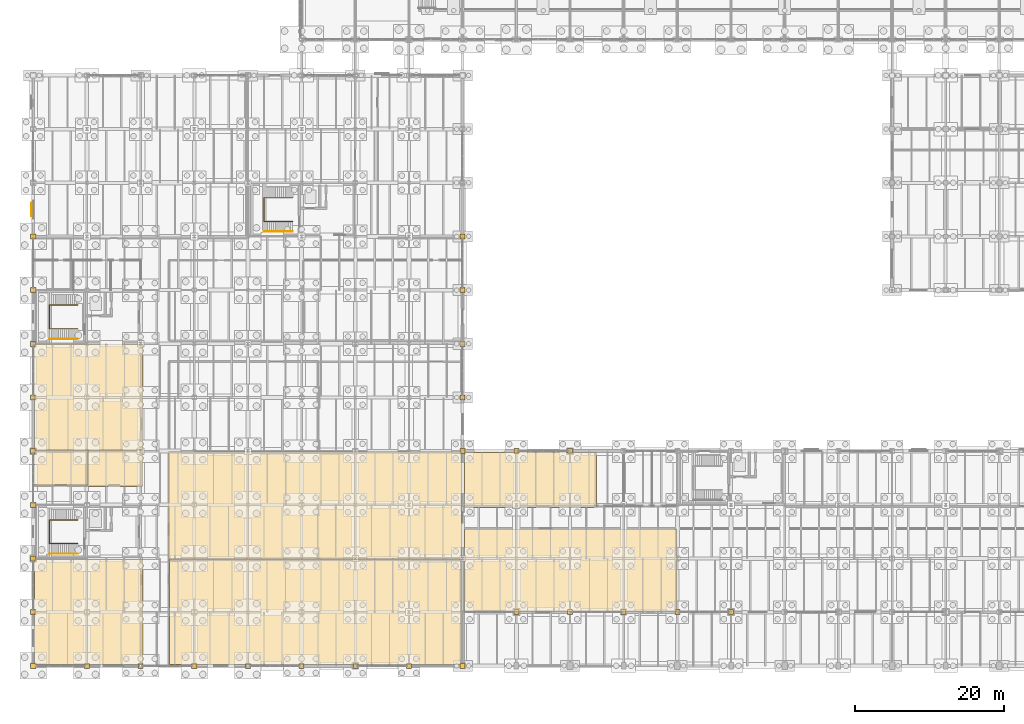
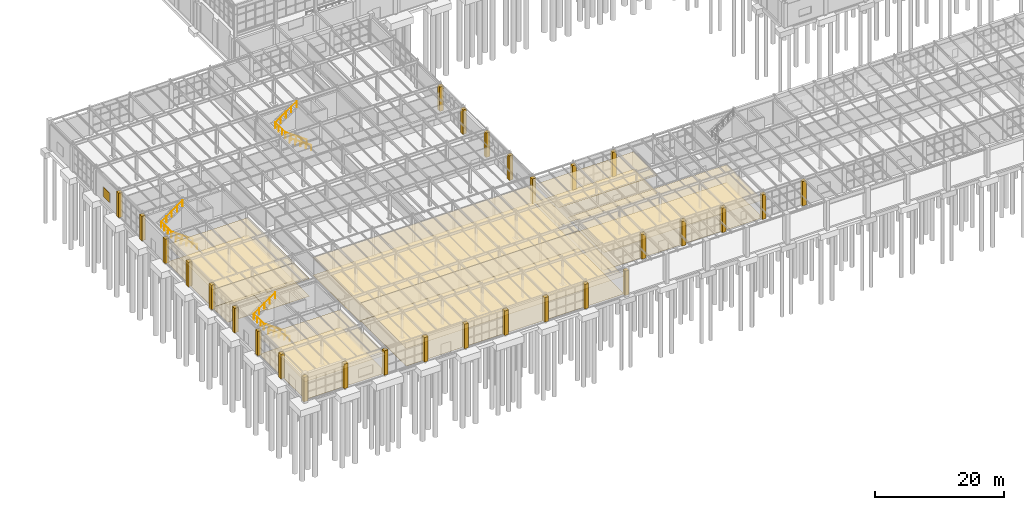
# One storey, part 279 of 293: 45 coverings, 6 railings, 1 shading device.
"""IFC4 building model written with IfcOpenShell, lengths in metres."""

import ifcopenshell
import ifcopenshell.guid

model = None  # the IFC model being written
_history = None  # IfcOwnerHistory: only IFC2X3 demands one
_inside = {}  # id of a spatial element -> (the spatial element, [elements in it])
_under = {}  # id of a project, library or spatial element -> (it, [spatial elements below it])
_declared = {}  # id of a project -> (the project, [libraries it declares])
_typed = {}  # id of a type object -> (the type object, [elements of that type])
_made_of = {}  # id of a material, layer set ... -> (it, [elements and type objects made of it])


def new_model(schema):
    """Start an empty IFC model of exactly this schema.

    Asked for "IFC4X3", IfcOpenShell would pick the latest addendum, in which some entities
    have other attributes; the version numbers below select the first issue.
    IFC2X3 requires an IfcOwnerHistory on every rooted entity: one is made here for all.
    """
    global model, _history
    if schema == "IFC4X3":
        model = ifcopenshell.file(schema_version=(4, 3, 0, 0))
    else:
        model = ifcopenshell.file(schema=schema)
    _inside.clear()
    _under.clear()
    _declared.clear()
    _typed.clear()
    _made_of.clear()
    _history = None
    if model.schema == "IFC2X3":
        org = make("IfcOrganization", Name="unknown")
        user = make(
            "IfcPersonAndOrganization",
            ThePerson=make("IfcPerson", FamilyName="unknown"),
            TheOrganization=org,
        )
        app = make(
            "IfcApplication",
            ApplicationDeveloper=org,
            Version="unknown",
            ApplicationFullName="unknown",
            ApplicationIdentifier="unknown",
        )
        _history = make(
            "IfcOwnerHistory",
            OwningUser=user,
            OwningApplication=app,
            ChangeAction="ADDED",
            CreationDate=0,
        )
    return model


def make(cls, **values):
    """One entity of the class cls with the attributes given. An attribute that is None is left unset."""
    return model.create_entity(
        cls, **{name: value for name, value in values.items() if value is not None}
    )


def rooted(cls, **values):
    """An entity with a GlobalId (a new one), such as an element, a storey or a relation."""
    return make(cls, GlobalId=ifcopenshell.guid.new(), OwnerHistory=_history, **values)


def si_unit(unit_type, name, prefix=None):
    """IfcSIUnit, for example si_unit("LENGTHUNIT", "METRE", prefix="MILLI")."""
    return make("IfcSIUnit", UnitType=unit_type, Prefix=prefix, Name=name)


def assignment(units):
    """IfcUnitAssignment: the units of a project."""
    return None if units is None else make("IfcUnitAssignment", Units=units)


def point(xyz):
    """IfcCartesianPoint."""
    return None if xyz is None else make("IfcCartesianPoint", Coordinates=xyz)


def direction(xyz):
    """IfcDirection."""
    return None if xyz is None else make("IfcDirection", DirectionRatios=xyz)


def frame(location, z_axis=None, x_axis=None):
    """IfcAxis2Placement3D, a coordinate frame: its origin and axes. An axis left out is left unset."""
    return make(
        "IfcAxis2Placement3D",
        Location=point(location),
        Axis=direction(z_axis),
        RefDirection=direction(x_axis),
    )


def frame_2d(location, x_axis=None):
    """IfcAxis2Placement2D, a coordinate frame in the plane: its origin and x axis."""
    return make(
        "IfcAxis2Placement2D", Location=point(location), RefDirection=direction(x_axis)
    )


def origin():
    """The frame at (0, 0, 0) with its axes left unset."""
    return frame((0.0, 0.0, 0.0))


def origin_2d():
    """The frame at (0, 0) in the plane with its x axis left unset."""
    return frame_2d((0.0, 0.0))


def place(relative_to, where):
    """IfcLocalPlacement: puts the frame where relative to a parent placement (None: the world)."""
    return make(
        "IfcLocalPlacement", PlacementRelTo=relative_to, RelativePlacement=where
    )


def context(
    kind, dimensions, precision=None, world=None, true_north=None, identifier=None
):
    """IfcGeometricRepresentationContext, for example the 3D "Model" context."""
    return make(
        "IfcGeometricRepresentationContext",
        ContextIdentifier=identifier,
        ContextType=kind,
        CoordinateSpaceDimension=dimensions,
        Precision=precision,
        WorldCoordinateSystem=world,
        TrueNorth=true_north,
    )


def subcontext(parent, identifier, kind, view, scale=None):
    """IfcGeometricRepresentationSubContext, for example "Body" below "Model"."""
    return make(
        "IfcGeometricRepresentationSubContext",
        ContextIdentifier=identifier,
        ContextType=kind,
        ParentContext=parent,
        TargetScale=scale,
        TargetView=view,
    )


def project(units=None, contexts=None):
    """IfcProject with its units and contexts."""
    return rooted(
        "IfcProject",
        Name="project",
        RepresentationContexts=contexts,
        UnitsInContext=assignment(units),
    )


def spatial(cls, under=None, at=None, **own):
    """A site, building, storey or space (cls), placed at a placement, below another one or the project."""
    s = rooted(cls, ObjectPlacement=at, **own)
    if under is not None:
        _under.setdefault(under.id(), (under, []))[1].append(s)
    return s


def polyline(points):
    """IfcPolyline through the points."""
    return make("IfcPolyline", Points=[point(p) for p in points])


def profile(cls, at=None, kind="AREA", **sizes):
    """A parametric profile (cls). Its sizes go by their IFC names, for example OverallWidth=200.0."""
    return make(cls, ProfileType=kind, Position=at, **sizes)


def rectangle(**sizes):
    """IfcRectangleProfileDef."""
    return profile("IfcRectangleProfileDef", **sizes)


def circle(**sizes):
    """IfcCircleProfileDef."""
    return profile("IfcCircleProfileDef", **sizes)


def outline(outer, holes=None, kind="AREA"):
    """IfcArbitraryClosedProfileDef: a profile drawn as a closed curve; with holes, ...WithVoids."""
    if holes is None:
        return make("IfcArbitraryClosedProfileDef", ProfileType=kind, OuterCurve=outer)
    return make(
        "IfcArbitraryProfileDefWithVoids",
        ProfileType=kind,
        OuterCurve=outer,
        InnerCurves=holes,
    )


def extrude(swept, where, along, depth):
    """IfcExtrudedAreaSolid: the profile swept, set in the frame where, extruded along a direction by depth."""
    return make(
        "IfcExtrudedAreaSolid",
        SweptArea=swept,
        Position=where,
        ExtrudedDirection=direction(along),
        Depth=depth,
    )


def shape(context_of_items, identifier, shape_type, items):
    """IfcShapeRepresentation: the items that make up one representation, for example the "Body"."""
    return make(
        "IfcShapeRepresentation",
        ContextOfItems=context_of_items,
        RepresentationIdentifier=identifier,
        RepresentationType=shape_type,
        Items=items,
    )


def material(Name=None, Category=None):
    """IfcMaterial."""
    return make("IfcMaterial", Name=Name, Category=Category)


def layer(
    of_material, thickness, ventilated=None, Name=None, Category=None, Priority=None
):
    """IfcMaterialLayer: one layer of a wall or slab, of a material (None: an air gap)."""
    return make(
        "IfcMaterialLayer",
        Material=of_material,
        LayerThickness=thickness,
        IsVentilated=ventilated,
        Name=Name,
        Category=Category,
        Priority=Priority,
    )


def layer_set(layers, Name=None):
    """IfcMaterialLayerSet."""
    return make("IfcMaterialLayerSet", MaterialLayers=layers, LayerSetName=Name)


def made_of(thing, what):
    """Note that an element or type object is made of a material, layer set ...; save() writes the relation."""
    if what is not None:
        _made_of.setdefault(what.id(), (what, []))[1].append(thing)
    return thing


def type_object(cls, material=None, **own):
    """A type object (cls), such as IfcWallType, which elements share."""
    return made_of(rooted(cls, **own), material)


def element(
    cls,
    number,
    at=None,
    inside=None,
    cuts=None,
    type_object=None,
    material=None,
    context=None,
    identifier="Body",
    shape_type=None,
    held_by="IfcProductDefinitionShape",
    body=None,
    shapes=None,
    **own,
):
    """One element of the class cls, such as IfcWall. Its Tag is "e" and its number.

    at: its placement. inside: the storey or other place that contains it. cuts: it is an
    opening in that element (IfcRelVoidsElement). A single representation is given by context,
    identifier, shape_type and body (its items); several are given by shapes. held_by: the class
    of the entity that holds the representations. save() writes the other relations.
    """
    e = rooted(cls, Tag="e%d" % number, ObjectPlacement=at, **own)
    if body is not None:
        shapes = [shape(context, identifier, shape_type, body)]
    if shapes is not None:
        e.Representation = make(held_by, Representations=shapes)
    if inside is not None:
        _inside.setdefault(inside.id(), (inside, []))[1].append(e)
    if cuts is not None:
        rooted(
            "IfcRelVoidsElement", RelatingBuildingElement=cuts, RelatedOpeningElement=e
        )
    if type_object is not None:
        _typed.setdefault(type_object.id(), (type_object, []))[1].append(e)
    return made_of(e, material)


def aggregate(whole, parts):
    """IfcRelAggregates: a whole, such as a stair, and the parts it consists of."""
    return rooted("IfcRelAggregates", RelatingObject=whole, RelatedObjects=parts)


def save(model, path):
    """Write the relations noted so far, then the file.

    IfcRelAggregates (storeys below a building ...), IfcRelContainedInSpatialStructure (elements
    in a storey), IfcRelDefinesByType, IfcRelAssociatesMaterial and IfcRelDeclares: one each for
    every whole, place, type object, material and project.
    """
    for whole, parts in _under.values():
        aggregate(whole, parts)
    for where, things in _inside.values():
        rooted(
            "IfcRelContainedInSpatialStructure",
            RelatedElements=things,
            RelatingStructure=where,
        )
    for kind, things in _typed.values():
        rooted("IfcRelDefinesByType", RelatedObjects=things, RelatingType=kind)
    for what, things in _made_of.values():
        rooted("IfcRelAssociatesMaterial", RelatedObjects=things, RelatingMaterial=what)
    for by, libraries in _declared.values():
        rooted("IfcRelDeclares", RelatingContext=by, RelatedDefinitions=libraries)
    model.write(path)


model = new_model("IFC4")

# Units and contexts
model_context = context("Model", 3, precision=1e-05, world=origin(), true_north=direction((0.0, 1.0)))
body_context = subcontext(model_context, "Body", "Model", "MODEL_VIEW")
ifc_project = project(units=[si_unit("LENGTHUNIT", "METRE"), si_unit("AREAUNIT", "SQUARE_METRE"), si_unit("VOLUMEUNIT", "CUBIC_METRE"), si_unit("PLANEANGLEUNIT", "RADIAN"), si_unit("MASSUNIT", "GRAM", prefix="KILO")], contexts=[model_context])

# Site, building, storey
site_placement = place(None, origin())
site = spatial("IfcSite", under=ifc_project, at=site_placement, CompositionType="ELEMENT")
building_placement = place(site_placement, origin())
building = spatial("IfcBuilding", under=site, at=building_placement, Name="Kemerveld Promenade Tramway Depot", CompositionType="ELEMENT")
storey_placement = place(building_placement, origin())
storey = spatial("IfcBuildingStorey", under=building, at=storey_placement, Name="L00", CompositionType="ELEMENT", Elevation=0.0)

# Coverings
ifc_material_1 = material(Name="Perforated mineral-fibre acoustic ceiling")
ifc_layer_1 = layer(ifc_material_1, 0.02490234375)
ifc_layer_set_1 = layer_set([ifc_layer_1], Name="COV-CEIL-AC")
covering_type_1 = type_object("IfcCoveringType", Name="COV-CEIL-AC", PredefinedType="CEILING", material=ifc_layer_set_1)
covering_1_placement = place(storey_placement, frame((0.0, 0.0, 3.35498046875)))
element("IfcCovering", 1, at=covering_1_placement, inside=storey, type_object=covering_type_1, Name="CEIL-RM-L00-V4-CAFE", PredefinedType="CEILING", context=body_context, shape_type="SweptSolid", body=[
    extrude(outline(polyline([(57.824951171875, 7.25), (86.35009765625, 7.25), (86.35009765625, 18.35009765625), (57.824951171875, 18.35009765625), (57.824951171875, 7.25)])), origin(), (0.0, 0.0, 1.0), 0.02490234375),
])
covering_2_placement = place(storey_placement, frame((0.0, 0.0, 3.35498046875)))
element("IfcCovering", 2, at=covering_2_placement, inside=storey, type_object=covering_type_1, Name="CEIL-RM-L00-V4-KIT", PredefinedType="CEILING", context=body_context, shape_type="SweptSolid", body=[
    extrude(outline(polyline([(57.824951171875, 21.25), (75.550048828125, 21.25), (75.550048828125, 28.64990234375), (57.824951171875, 28.64990234375), (57.824951171875, 21.25)])), origin(), (0.0, 0.0, 1.0), 0.02490234375),
])
covering_3_placement = place(storey_placement, frame((0.0, 0.0, 3.35498046875)))
element("IfcCovering", 3, at=covering_3_placement, inside=storey, type_object=covering_type_1, Name="CEIL-RM-L00-V5-LOB", PredefinedType="CEILING", context=body_context, shape_type="SweptSolid", body=[
    extrude(outline(polyline([(0.14990234375, 0.14990234375), (14.75, 0.14990234375), (14.75, 14.35009765625), (0.14990234375, 14.35009765625), (0.14990234375, 0.14990234375)])), origin(), (0.0, 0.0, 1.0), 0.02490234375),
])
covering_4_placement = place(storey_placement, frame((0.0, 0.0, 3.35498046875)))
element("IfcCovering", 4, at=covering_4_placement, inside=storey, type_object=covering_type_1, Name="CEIL-RM-L00-V5-SIGN", PredefinedType="CEILING", context=body_context, shape_type="SweptSolid", body=[
    extrude(outline(polyline([(18.2724609375, 0.14990234375), (57.375, 0.14990234375), (57.375, 14.35009765625), (18.2724609375, 14.35009765625), (18.2724609375, 0.14990234375)])), origin(), (0.0, 0.0, 1.0), 0.02490234375),
])
covering_5_placement = place(storey_placement, frame((0.0, 0.0, 3.35498046875)))
element("IfcCovering", 5, at=covering_5_placement, inside=storey, type_object=covering_type_1, Name="CEIL-RM-L00-V5-FCC", PredefinedType="CEILING", context=body_context, shape_type="SweptSolid", body=[
    extrude(outline(polyline([(0.14990234375, 24.257568359375), (7.35009765625, 24.257568359375), (7.35009765625, 28.949951171875), (0.14990234375, 28.949951171875), (0.14990234375, 24.257568359375)])), origin(), (0.0, 0.0, 1.0), 0.02490234375),
])
covering_6_placement = place(storey_placement, frame((0.0, 0.0, 3.35498046875)))
element("IfcCovering", 6, at=covering_6_placement, inside=storey, type_object=covering_type_1, Name="CEIL-RM-L00-V5-SEC", PredefinedType="CEILING", context=body_context, shape_type="SweptSolid", body=[
    extrude(outline(polyline([(7.050048828125, 24.050048828125), (14.75, 24.050048828125), (14.75, 28.949951171875), (7.050048828125, 28.949951171875), (7.050048828125, 24.050048828125)])), origin(), (0.0, 0.0, 1.0), 0.02490234375),
])
covering_7_placement = place(storey_placement, frame((0.0, 0.0, 3.35498046875)))
element("IfcCovering", 7, at=covering_7_placement, inside=storey, type_object=covering_type_1, Name="CEIL-RM-L00-V5-DISP", PredefinedType="CEILING", context=body_context, shape_type="SweptSolid", body=[
    extrude(outline(polyline([(18.050048828125, 14.050048828125), (57.44091796875, 14.050048828125), (57.44091796875, 28.75), (18.050048828125, 28.75), (18.050048828125, 14.050048828125)])), origin(), (0.0, 0.0, 1.0), 0.02490234375),
])
covering_8_placement = place(storey_placement, frame((0.0, 0.0, 3.35498046875)))
element("IfcCovering", 8, at=covering_8_placement, inside=storey, type_object=covering_type_1, Name="CEIL-RM-L00-V5-CLIN", PredefinedType="CEILING", context=body_context, shape_type="SweptSolid", body=[
    extrude(outline(polyline([(0.14990234375, 28.64990234375), (14.75, 28.64990234375), (14.75, 43.14990234375), (0.14990234375, 43.14990234375), (0.14990234375, 28.64990234375)])), origin(), (0.0, 0.0, 1.0), 0.02490234375),
])
ifc_material_2 = material(Name="Dressed Harare granite ashlar cladding", Category="masonry")
ifc_layer_2 = layer(ifc_material_2, 0.050048828125)
ifc_layer_set_2 = layer_set([ifc_layer_2], Name="COV-CLAD-GRAN")
covering_type_2 = type_object("IfcCoveringType", Name="COV-CLAD-GRAN", PredefinedType="CLADDING", material=ifc_layer_set_2)
covering_9_placement = place(storey_placement, origin())
element("IfcCovering", 9, at=covering_9_placement, inside=storey, type_object=covering_type_2, Name="CLAD-PIER-L00-081", PredefinedType="CLADDING", context=body_context, shape_type="SweptSolid", body=[
    extrude(outline(polyline([(-0.340087890625, -0.340087890625), (0.340087890625, -0.340087890625), (0.340087890625, 0.340087890625), (-0.340087890625, 0.340087890625), (-0.340087890625, -0.340087890625)])), origin(), (0.0, 0.0, 1.0), 4.64990234375),
])
covering_10_placement = place(storey_placement, origin())
element("IfcCovering", 10, at=covering_10_placement, inside=storey, type_object=covering_type_2, Name="CLAD-PIER-L00-082", PredefinedType="CLADDING", context=body_context, shape_type="SweptSolid", body=[
    extrude(outline(polyline([(-0.340087890625, 6.860107421875), (0.340087890625, 6.860107421875), (0.340087890625, 7.5400390625), (-0.340087890625, 7.5400390625), (-0.340087890625, 6.860107421875)])), origin(), (0.0, 0.0, 1.0), 4.64990234375),
])
covering_11_placement = place(storey_placement, origin())
element("IfcCovering", 11, at=covering_11_placement, inside=storey, type_object=covering_type_2, Name="CLAD-PIER-L00-083", PredefinedType="CLADDING", context=body_context, shape_type="SweptSolid", body=[
    extrude(outline(polyline([(-0.340087890625, 14.06005859375), (0.340087890625, 14.06005859375), (0.340087890625, 14.739990234375), (-0.340087890625, 14.739990234375), (-0.340087890625, 14.06005859375)])), origin(), (0.0, 0.0, 1.0), 4.64990234375),
])
covering_12_placement = place(storey_placement, origin())
element("IfcCovering", 12, at=covering_12_placement, inside=storey, type_object=covering_type_2, Name="CLAD-PIER-L00-084", PredefinedType="CLADDING", context=body_context, shape_type="SweptSolid", body=[
    extrude(outline(polyline([(-0.340087890625, 21.260009765625), (0.340087890625, 21.260009765625), (0.340087890625, 21.93994140625), (-0.340087890625, 21.93994140625), (-0.340087890625, 21.260009765625)])), origin(), (0.0, 0.0, 1.0), 4.64990234375),
])
covering_13_placement = place(storey_placement, origin())
element("IfcCovering", 13, at=covering_13_placement, inside=storey, type_object=covering_type_2, Name="CLAD-PIER-L00-085", PredefinedType="CLADDING", context=body_context, shape_type="SweptSolid", body=[
    extrude(outline(polyline([(-0.340087890625, 28.4599609375), (0.340087890625, 28.4599609375), (0.340087890625, 29.139892578125), (-0.340087890625, 29.139892578125), (-0.340087890625, 28.4599609375)])), origin(), (0.0, 0.0, 1.0), 4.64990234375),
])
covering_14_placement = place(storey_placement, origin())
element("IfcCovering", 14, at=covering_14_placement, inside=storey, type_object=covering_type_2, Name="CLAD-PIER-L00-086", PredefinedType="CLADDING", context=body_context, shape_type="SweptSolid", body=[
    extrude(outline(polyline([(-0.340087890625, 35.659912109375), (0.340087890625, 35.659912109375), (0.340087890625, 36.340087890625), (-0.340087890625, 36.340087890625), (-0.340087890625, 35.659912109375)])), origin(), (0.0, 0.0, 1.0), 4.64990234375),
])
covering_15_placement = place(storey_placement, origin())
element("IfcCovering", 15, at=covering_15_placement, inside=storey, type_object=covering_type_2, Name="CLAD-PIER-L00-087", PredefinedType="CLADDING", context=body_context, shape_type="SweptSolid", body=[
    extrude(outline(polyline([(-0.340087890625, 42.860107421875), (0.340087890625, 42.860107421875), (0.340087890625, 43.5400390625), (-0.340087890625, 43.5400390625), (-0.340087890625, 42.860107421875)])), origin(), (0.0, 0.0, 1.0), 4.64990234375),
])
covering_16_placement = place(storey_placement, origin())
element("IfcCovering", 16, at=covering_16_placement, inside=storey, type_object=covering_type_2, Name="CLAD-PIER-L00-088", PredefinedType="CLADDING", context=body_context, shape_type="SweptSolid", body=[
    extrude(outline(polyline([(-0.340087890625, 50.06005859375), (0.340087890625, 50.06005859375), (0.340087890625, 50.739990234375), (-0.340087890625, 50.739990234375), (-0.340087890625, 50.06005859375)])), origin(), (0.0, 0.0, 1.0), 4.64990234375),
])
covering_17_placement = place(storey_placement, origin())
element("IfcCovering", 17, at=covering_17_placement, inside=storey, type_object=covering_type_2, Name="CLAD-PIER-L00-089", PredefinedType="CLADDING", context=body_context, shape_type="SweptSolid", body=[
    extrude(outline(polyline([(-0.340087890625, 57.260009765625), (0.340087890625, 57.260009765625), (0.340087890625, 57.93994140625), (-0.340087890625, 57.93994140625), (-0.340087890625, 57.260009765625)])), origin(), (0.0, 0.0, 1.0), 4.64990234375),
])
covering_18_placement = place(storey_placement, origin())
element("IfcCovering", 18, at=covering_18_placement, inside=storey, type_object=covering_type_2, Name="CLAD-PIER-L00-103", PredefinedType="CLADDING", context=body_context, shape_type="SweptSolid", body=[
    extrude(outline(polyline([(57.260009765625, 57.260009765625), (57.93994140625, 57.260009765625), (57.93994140625, 57.93994140625), (57.260009765625, 57.93994140625), (57.260009765625, 57.260009765625)])), origin(), (0.0, 0.0, 1.0), 4.64990234375),
])
covering_19_placement = place(storey_placement, origin())
element("IfcCovering", 19, at=covering_19_placement, inside=storey, type_object=covering_type_2, Name="CLAD-PIER-L00-104", PredefinedType="CLADDING", context=body_context, shape_type="SweptSolid", body=[
    extrude(outline(polyline([(57.260009765625, 50.06005859375), (57.93994140625, 50.06005859375), (57.93994140625, 50.739990234375), (57.260009765625, 50.739990234375), (57.260009765625, 50.06005859375)])), origin(), (0.0, 0.0, 1.0), 4.64990234375),
])
covering_20_placement = place(storey_placement, origin())
element("IfcCovering", 20, at=covering_20_placement, inside=storey, type_object=covering_type_2, Name="CLAD-PIER-L00-105", PredefinedType="CLADDING", context=body_context, shape_type="SweptSolid", body=[
    extrude(outline(polyline([(57.260009765625, 42.860107421875), (57.93994140625, 42.860107421875), (57.93994140625, 43.5400390625), (57.260009765625, 43.5400390625), (57.260009765625, 42.860107421875)])), origin(), (0.0, 0.0, 1.0), 4.64990234375),
])
covering_21_placement = place(storey_placement, origin())
element("IfcCovering", 21, at=covering_21_placement, inside=storey, type_object=covering_type_2, Name="CLAD-PIER-L00-106", PredefinedType="CLADDING", context=body_context, shape_type="SweptSolid", body=[
    extrude(outline(polyline([(57.260009765625, 35.659912109375), (57.93994140625, 35.659912109375), (57.93994140625, 36.340087890625), (57.260009765625, 36.340087890625), (57.260009765625, 35.659912109375)])), origin(), (0.0, 0.0, 1.0), 4.64990234375),
])
covering_22_placement = place(storey_placement, origin())
element("IfcCovering", 22, at=covering_22_placement, inside=storey, type_object=covering_type_2, Name="CLAD-PIER-L00-107", PredefinedType="CLADDING", context=body_context, shape_type="SweptSolid", body=[
    extrude(outline(polyline([(57.260009765625, 28.4599609375), (57.93994140625, 28.4599609375), (57.93994140625, 29.139892578125), (57.260009765625, 29.139892578125), (57.260009765625, 28.4599609375)])), origin(), (0.0, 0.0, 1.0), 4.64990234375),
])
covering_23_placement = place(storey_placement, origin())
element("IfcCovering", 23, at=covering_23_placement, inside=storey, type_object=covering_type_2, Name="CLAD-PIER-L00-108", PredefinedType="CLADDING", context=body_context, shape_type="SweptSolid", body=[
    extrude(outline(polyline([(57.260009765625, -0.340087890625), (57.93994140625, -0.340087890625), (57.93994140625, 0.340087890625), (57.260009765625, 0.340087890625), (57.260009765625, -0.340087890625)])), origin(), (0.0, 0.0, 1.0), 4.64990234375),
])
covering_24_placement = place(storey_placement, origin())
element("IfcCovering", 24, at=covering_24_placement, inside=storey, type_object=covering_type_2, Name="CLAD-PIER-L00-109", PredefinedType="CLADDING", context=body_context, shape_type="SweptSolid", body=[
    extrude(outline(polyline([(50.06005859375, -0.340087890625), (50.739990234375, -0.340087890625), (50.739990234375, 0.340087890625), (50.06005859375, 0.340087890625), (50.06005859375, -0.340087890625)])), origin(), (0.0, 0.0, 1.0), 4.64990234375),
])
covering_25_placement = place(storey_placement, origin())
element("IfcCovering", 25, at=covering_25_placement, inside=storey, type_object=covering_type_2, Name="CLAD-PIER-L00-110", PredefinedType="CLADDING", context=body_context, shape_type="SweptSolid", body=[
    extrude(outline(polyline([(42.860107421875, -0.340087890625), (43.5400390625, -0.340087890625), (43.5400390625, 0.340087890625), (42.860107421875, 0.340087890625), (42.860107421875, -0.340087890625)])), origin(), (0.0, 0.0, 1.0), 4.64990234375),
])
covering_26_placement = place(storey_placement, origin())
element("IfcCovering", 26, at=covering_26_placement, inside=storey, type_object=covering_type_2, Name="CLAD-PIER-L00-111", PredefinedType="CLADDING", context=body_context, shape_type="SweptSolid", body=[
    extrude(outline(polyline([(35.659912109375, -0.340087890625), (36.340087890625, -0.340087890625), (36.340087890625, 0.340087890625), (35.659912109375, 0.340087890625), (35.659912109375, -0.340087890625)])), origin(), (0.0, 0.0, 1.0), 4.64990234375),
])
covering_27_placement = place(storey_placement, origin())
element("IfcCovering", 27, at=covering_27_placement, inside=storey, type_object=covering_type_2, Name="CLAD-PIER-L00-112", PredefinedType="CLADDING", context=body_context, shape_type="SweptSolid", body=[
    extrude(outline(polyline([(28.4599609375, -0.340087890625), (29.139892578125, -0.340087890625), (29.139892578125, 0.340087890625), (28.4599609375, 0.340087890625), (28.4599609375, -0.340087890625)])), origin(), (0.0, 0.0, 1.0), 4.64990234375),
])
covering_28_placement = place(storey_placement, origin())
element("IfcCovering", 28, at=covering_28_placement, inside=storey, type_object=covering_type_2, Name="CLAD-PIER-L00-113", PredefinedType="CLADDING", context=body_context, shape_type="SweptSolid", body=[
    extrude(outline(polyline([(21.260009765625, -0.340087890625), (21.93994140625, -0.340087890625), (21.93994140625, 0.340087890625), (21.260009765625, 0.340087890625), (21.260009765625, -0.340087890625)])), origin(), (0.0, 0.0, 1.0), 4.64990234375),
])
covering_29_placement = place(storey_placement, origin())
element("IfcCovering", 29, at=covering_29_placement, inside=storey, type_object=covering_type_2, Name="CLAD-PIER-L00-114", PredefinedType="CLADDING", context=body_context, shape_type="SweptSolid", body=[
    extrude(outline(polyline([(14.06005859375, -0.340087890625), (14.739990234375, -0.340087890625), (14.739990234375, 0.340087890625), (14.06005859375, 0.340087890625), (14.06005859375, -0.340087890625)])), origin(), (0.0, 0.0, 1.0), 4.64990234375),
])
covering_30_placement = place(storey_placement, origin())
element("IfcCovering", 30, at=covering_30_placement, inside=storey, type_object=covering_type_2, Name="CLAD-PIER-L00-115", PredefinedType="CLADDING", context=body_context, shape_type="SweptSolid", body=[
    extrude(outline(polyline([(6.860107421875, -0.340087890625), (7.5400390625, -0.340087890625), (7.5400390625, 0.340087890625), (6.860107421875, 0.340087890625), (6.860107421875, -0.340087890625)])), origin(), (0.0, 0.0, 1.0), 4.64990234375),
])
covering_31_placement = place(storey_placement, origin())
element("IfcCovering", 31, at=covering_31_placement, inside=storey, type_object=covering_type_2, Name="CLAD-PIER-L00-125", PredefinedType="CLADDING", context=body_context, shape_type="SweptSolid", body=[
    extrude(outline(polyline([(93.260009765625, 6.860107421875), (93.93994140625, 6.860107421875), (93.93994140625, 7.5400390625), (93.260009765625, 7.5400390625), (93.260009765625, 6.860107421875)])), origin(), (0.0, 0.0, 1.0), 4.64990234375),
])
covering_32_placement = place(storey_placement, origin())
element("IfcCovering", 32, at=covering_32_placement, inside=storey, type_object=covering_type_2, Name="CLAD-PIER-L00-126", PredefinedType="CLADDING", context=body_context, shape_type="SweptSolid", body=[
    extrude(outline(polyline([(86.06005859375, 6.860107421875), (86.739990234375, 6.860107421875), (86.739990234375, 7.5400390625), (86.06005859375, 7.5400390625), (86.06005859375, 6.860107421875)])), origin(), (0.0, 0.0, 1.0), 4.64990234375),
])
covering_33_placement = place(storey_placement, origin())
element("IfcCovering", 33, at=covering_33_placement, inside=storey, type_object=covering_type_2, Name="CLAD-PIER-L00-127", PredefinedType="CLADDING", context=body_context, shape_type="SweptSolid", body=[
    extrude(outline(polyline([(78.860107421875, 6.860107421875), (79.5400390625, 6.860107421875), (79.5400390625, 7.5400390625), (78.860107421875, 7.5400390625), (78.860107421875, 6.860107421875)])), origin(), (0.0, 0.0, 1.0), 4.64990234375),
])
covering_34_placement = place(storey_placement, origin())
element("IfcCovering", 34, at=covering_34_placement, inside=storey, type_object=covering_type_2, Name="CLAD-PIER-L00-128", PredefinedType="CLADDING", context=body_context, shape_type="SweptSolid", body=[
    extrude(outline(polyline([(71.659912109375, 6.860107421875), (72.340087890625, 6.860107421875), (72.340087890625, 7.5400390625), (71.659912109375, 7.5400390625), (71.659912109375, 6.860107421875)])), origin(), (0.0, 0.0, 1.0), 4.64990234375),
])
covering_35_placement = place(storey_placement, origin())
element("IfcCovering", 35, at=covering_35_placement, inside=storey, type_object=covering_type_2, Name="CLAD-PIER-L00-129", PredefinedType="CLADDING", context=body_context, shape_type="SweptSolid", body=[
    extrude(outline(polyline([(64.4599609375, 6.860107421875), (65.139892578125, 6.860107421875), (65.139892578125, 7.5400390625), (64.4599609375, 7.5400390625), (64.4599609375, 6.860107421875)])), origin(), (0.0, 0.0, 1.0), 4.64990234375),
])
covering_36_placement = place(storey_placement, origin())
element("IfcCovering", 36, at=covering_36_placement, inside=storey, type_object=covering_type_2, Name="CLAD-PIER-L00-130", PredefinedType="CLADDING", context=body_context, shape_type="SweptSolid", body=[
    extrude(outline(polyline([(64.4599609375, 28.4599609375), (65.139892578125, 28.4599609375), (65.139892578125, 29.139892578125), (64.4599609375, 29.139892578125), (64.4599609375, 28.4599609375)])), origin(), (0.0, 0.0, 1.0), 4.64990234375),
])
covering_37_placement = place(storey_placement, origin())
element("IfcCovering", 37, at=covering_37_placement, inside=storey, type_object=covering_type_2, Name="CLAD-PIER-L00-131", PredefinedType="CLADDING", context=body_context, shape_type="SweptSolid", body=[
    extrude(outline(polyline([(71.659912109375, 28.4599609375), (72.340087890625, 28.4599609375), (72.340087890625, 29.139892578125), (71.659912109375, 29.139892578125), (71.659912109375, 28.4599609375)])), origin(), (0.0, 0.0, 1.0), 4.64990234375),
])
ifc_material_3 = material(Name="Honed Harare granite terrazzo flooring", Category="masonry")
ifc_layer_3 = layer(ifc_material_3, 0.02001953125)
ifc_layer_set_3 = layer_set([ifc_layer_3], Name="COV-FLR-TERR")
covering_type_3 = type_object("IfcCoveringType", Name="COV-FLR-TERR", PredefinedType="FLOORING", material=ifc_layer_set_3)
covering_38_placement = place(storey_placement, origin())
element("IfcCovering", 38, at=covering_38_placement, inside=storey, type_object=covering_type_3, Name="FLR-RM-L00-V4-CAFE", PredefinedType="FLOORING", context=body_context, shape_type="SweptSolid", body=[
    extrude(outline(polyline([(57.824951171875, 7.25), (86.35009765625, 7.25), (86.35009765625, 18.35009765625), (57.824951171875, 18.35009765625), (57.824951171875, 7.25)])), origin(), (0.0, 0.0, 1.0), 0.02001953125),
])
covering_39_placement = place(storey_placement, origin())
element("IfcCovering", 39, at=covering_39_placement, inside=storey, type_object=covering_type_3, Name="FLR-RM-L00-V4-KIT", PredefinedType="FLOORING", context=body_context, shape_type="SweptSolid", body=[
    extrude(outline(polyline([(57.824951171875, 21.25), (75.550048828125, 21.25), (75.550048828125, 28.64990234375), (57.824951171875, 28.64990234375), (57.824951171875, 21.25)])), origin(), (0.0, 0.0, 1.0), 0.02001953125),
])
covering_40_placement = place(storey_placement, origin())
element("IfcCovering", 40, at=covering_40_placement, inside=storey, type_object=covering_type_3, Name="FLR-RM-L00-V5-LOB", PredefinedType="FLOORING", context=body_context, shape_type="SweptSolid", body=[
    extrude(outline(polyline([(0.14990234375, 0.14990234375), (14.75, 0.14990234375), (14.75, 14.35009765625), (0.14990234375, 14.35009765625), (0.14990234375, 0.14990234375)])), origin(), (0.0, 0.0, 1.0), 0.02001953125),
])
covering_41_placement = place(storey_placement, origin())
element("IfcCovering", 41, at=covering_41_placement, inside=storey, type_object=covering_type_3, Name="FLR-RM-L00-V5-SIGN", PredefinedType="FLOORING", context=body_context, shape_type="SweptSolid", body=[
    extrude(outline(polyline([(18.2724609375, 0.14990234375), (57.375, 0.14990234375), (57.375, 14.35009765625), (18.2724609375, 14.35009765625), (18.2724609375, 0.14990234375)])), origin(), (0.0, 0.0, 1.0), 0.02001953125),
])
covering_42_placement = place(storey_placement, origin())
element("IfcCovering", 42, at=covering_42_placement, inside=storey, type_object=covering_type_3, Name="FLR-RM-L00-V5-FCC", PredefinedType="FLOORING", context=body_context, shape_type="SweptSolid", body=[
    extrude(outline(polyline([(0.14990234375, 24.257568359375), (7.35009765625, 24.257568359375), (7.35009765625, 28.949951171875), (0.14990234375, 28.949951171875), (0.14990234375, 24.257568359375)])), origin(), (0.0, 0.0, 1.0), 0.02001953125),
])
covering_43_placement = place(storey_placement, origin())
element("IfcCovering", 43, at=covering_43_placement, inside=storey, type_object=covering_type_3, Name="FLR-RM-L00-V5-SEC", PredefinedType="FLOORING", context=body_context, shape_type="SweptSolid", body=[
    extrude(outline(polyline([(7.050048828125, 24.050048828125), (14.75, 24.050048828125), (14.75, 28.949951171875), (7.050048828125, 28.949951171875), (7.050048828125, 24.050048828125)])), origin(), (0.0, 0.0, 1.0), 0.02001953125),
])
covering_44_placement = place(storey_placement, origin())
element("IfcCovering", 44, at=covering_44_placement, inside=storey, type_object=covering_type_3, Name="FLR-RM-L00-V5-DISP", PredefinedType="FLOORING", context=body_context, shape_type="SweptSolid", body=[
    extrude(outline(polyline([(18.050048828125, 14.050048828125), (57.44091796875, 14.050048828125), (57.44091796875, 28.75), (18.050048828125, 28.75), (18.050048828125, 14.050048828125)])), origin(), (0.0, 0.0, 1.0), 0.02001953125),
])
covering_45_placement = place(storey_placement, origin())
element("IfcCovering", 45, at=covering_45_placement, inside=storey, type_object=covering_type_3, Name="FLR-RM-L00-V5-CLIN", PredefinedType="FLOORING", context=body_context, shape_type="SweptSolid", body=[
    extrude(outline(polyline([(0.14990234375, 28.64990234375), (14.75, 28.64990234375), (14.75, 43.14990234375), (0.14990234375, 43.14990234375), (0.14990234375, 28.64990234375)])), origin(), (0.0, 0.0, 1.0), 0.02001953125),
])

# Railings
ifc_material_4 = material(Name="Galvanised painted steel balustrade", Category="steel")
railing_type_1 = type_object("IfcRailingType", Name="RL-GRD-1100", PredefinedType="GUARDRAIL", material=ifc_material_4)
railing_1_placement = place(storey_placement, frame((5.97998046875, 16.4150390625, 0.0)))
element("IfcRailing", 46, at=railing_1_placement, inside=storey, type_object=railing_type_1, Name="RL-GRD-ST-01-L00", PredefinedType="GUARDRAIL", context=body_context, shape_type="SweptSolid", body=[
    extrude(circle(Radius=0.02392578125, at=origin_2d()), frame((0.0, 0.0, 1.09619140625), z_axis=(-0.815907329288, 0.0, 0.578182696052), x_axis=(0.0, -1.0, 0.0)), (0.0, 0.0, 1.0), 4.669677734375),
    extrude(circle(Radius=0.02392578125, at=origin_2d()), frame((-3.81005859375, 0.0, 3.7958984375), z_axis=(0.0, 1.0, 0.0), x_axis=(-1.0, 0.0, 0.0)), (0.0, 0.0, 1.0), 3.169921875),
    extrude(circle(Radius=0.02392578125, at=origin_2d()), frame((-3.81005859375, 3.169921875, 3.7958984375), z_axis=(0.815907329288, 0.0, 0.578182696052), x_axis=(0.0, 1.0, 0.0)), (0.0, 0.0, 1.0), 4.669677734375),
    extrude(circle(Radius=0.02099609375, at=origin_2d()), origin(), (0.0, 0.0, 1.0), 1.072021484375),
    extrude(circle(Radius=0.02099609375, at=origin_2d()), frame((-0.95263671875, 0.0, 0.675048828125)), (0.0, 0.0, 1.0), 1.072021484375),
    extrude(circle(Radius=0.02099609375, at=origin_2d()), frame((-1.905029296875, 0.0, 1.35009765625)), (0.0, 0.0, 1.0), 1.072021484375),
    extrude(circle(Radius=0.02099609375, at=origin_2d()), frame((-2.857421875, 0.0, 2.02490234375)), (0.0, 0.0, 1.0), 1.072021484375),
    extrude(circle(Radius=0.02099609375, at=origin_2d()), frame((-3.81005859375, 0.0, 2.699951171875)), (0.0, 0.0, 1.0), 1.072021484375),
    extrude(circle(Radius=0.02099609375, at=origin_2d()), frame((-3.81005859375, 1.056640625, 2.699951171875)), (0.0, 0.0, 1.0), 1.072021484375),
    extrude(circle(Radius=0.02099609375, at=origin_2d()), frame((-3.81005859375, 2.11328125, 2.699951171875)), (0.0, 0.0, 1.0), 1.072021484375),
    extrude(circle(Radius=0.02099609375, at=origin_2d()), frame((-3.81005859375, 3.169921875, 2.699951171875)), (0.0, 0.0, 1.0), 1.072021484375),
    extrude(circle(Radius=0.02099609375, at=origin_2d()), frame((-2.857421875, 3.169921875, 3.375)), (0.0, 0.0, 1.0), 1.072021484375),
    extrude(circle(Radius=0.02099609375, at=origin_2d()), frame((-1.905029296875, 3.169921875, 4.0498046875)), (0.0, 0.0, 1.0), 1.072021484375),
    extrude(circle(Radius=0.02099609375, at=origin_2d()), frame((-0.95263671875, 3.169921875, 4.724853515625)), (0.0, 0.0, 1.0), 1.072021484375),
    extrude(circle(Radius=0.02099609375, at=origin_2d()), frame((0.0, 3.169921875, 5.39990234375)), (0.0, 0.0, 1.0), 1.072021484375),
])
railing_2_placement = place(storey_placement, frame((5.97998046875, 45.215087890625, 0.0)))
element("IfcRailing", 47, at=railing_2_placement, inside=storey, type_object=railing_type_1, Name="RL-GRD-ST-02-L00", PredefinedType="GUARDRAIL", context=body_context, shape_type="SweptSolid", body=[
    extrude(circle(Radius=0.02392578125, at=origin_2d()), frame((0.0, 0.0, 1.09619140625), z_axis=(-0.815907329288, 0.0, 0.578182696052), x_axis=(0.0, -1.0, 0.0)), (0.0, 0.0, 1.0), 4.669677734375),
    extrude(circle(Radius=0.02392578125, at=origin_2d()), frame((-3.81005859375, 0.0, 3.7958984375), z_axis=(0.0, 1.0, 0.0), x_axis=(-1.0, 0.0, 0.0)), (0.0, 0.0, 1.0), 3.169921875),
    extrude(circle(Radius=0.02392578125, at=origin_2d()), frame((-3.81005859375, 3.169921875, 3.7958984375), z_axis=(0.815907329288, 0.0, 0.578182696052), x_axis=(0.0, 1.0, 0.0)), (0.0, 0.0, 1.0), 4.669677734375),
    extrude(circle(Radius=0.02099609375, at=origin_2d()), origin(), (0.0, 0.0, 1.0), 1.072021484375),
    extrude(circle(Radius=0.02099609375, at=origin_2d()), frame((-0.95263671875, 0.0, 0.675048828125)), (0.0, 0.0, 1.0), 1.072021484375),
    extrude(circle(Radius=0.02099609375, at=origin_2d()), frame((-1.905029296875, 0.0, 1.35009765625)), (0.0, 0.0, 1.0), 1.072021484375),
    extrude(circle(Radius=0.02099609375, at=origin_2d()), frame((-2.857421875, 0.0, 2.02490234375)), (0.0, 0.0, 1.0), 1.072021484375),
    extrude(circle(Radius=0.02099609375, at=origin_2d()), frame((-3.81005859375, 0.0, 2.699951171875)), (0.0, 0.0, 1.0), 1.072021484375),
    extrude(circle(Radius=0.02099609375, at=origin_2d()), frame((-3.81005859375, 1.056640625, 2.699951171875)), (0.0, 0.0, 1.0), 1.072021484375),
    extrude(circle(Radius=0.02099609375, at=origin_2d()), frame((-3.81005859375, 2.11328125, 2.699951171875)), (0.0, 0.0, 1.0), 1.072021484375),
    extrude(circle(Radius=0.02099609375, at=origin_2d()), frame((-3.81005859375, 3.169921875, 2.699951171875)), (0.0, 0.0, 1.0), 1.072021484375),
    extrude(circle(Radius=0.02099609375, at=origin_2d()), frame((-2.857421875, 3.169921875, 3.375)), (0.0, 0.0, 1.0), 1.072021484375),
    extrude(circle(Radius=0.02099609375, at=origin_2d()), frame((-1.905029296875, 3.169921875, 4.0498046875)), (0.0, 0.0, 1.0), 1.072021484375),
    extrude(circle(Radius=0.02099609375, at=origin_2d()), frame((-0.95263671875, 3.169921875, 4.724853515625)), (0.0, 0.0, 1.0), 1.072021484375),
    extrude(circle(Radius=0.02099609375, at=origin_2d()), frame((0.0, 3.169921875, 5.39990234375)), (0.0, 0.0, 1.0), 1.072021484375),
])
railing_3_placement = place(storey_placement, frame((34.780029296875, 59.614990234375, 0.0)))
element("IfcRailing", 48, at=railing_3_placement, inside=storey, type_object=railing_type_1, Name="RL-GRD-ST-03-L00", PredefinedType="GUARDRAIL", context=body_context, shape_type="SweptSolid", body=[
    extrude(circle(Radius=0.02392578125, at=origin_2d()), frame((0.0, 0.0, 1.09619140625), z_axis=(-0.815907329288, 0.0, 0.578182696052), x_axis=(0.0, -1.0, 0.0)), (0.0, 0.0, 1.0), 4.669677734375),
    extrude(circle(Radius=0.02392578125, at=origin_2d()), frame((-3.81005859375, 0.0, 3.7958984375), z_axis=(0.0, 1.0, 0.0), x_axis=(-1.0, 0.0, 0.0)), (0.0, 0.0, 1.0), 3.169921875),
    extrude(circle(Radius=0.02392578125, at=origin_2d()), frame((-3.81005859375, 3.169921875, 3.7958984375), z_axis=(0.815907329288, 0.0, 0.578182696052), x_axis=(0.0, 1.0, 0.0)), (0.0, 0.0, 1.0), 4.669677734375),
    extrude(circle(Radius=0.02099609375, at=origin_2d()), origin(), (0.0, 0.0, 1.0), 1.072021484375),
    extrude(circle(Radius=0.02099609375, at=origin_2d()), frame((-0.95263671875, 0.0, 0.675048828125)), (0.0, 0.0, 1.0), 1.072021484375),
    extrude(circle(Radius=0.02099609375, at=origin_2d()), frame((-1.905029296875, 0.0, 1.35009765625)), (0.0, 0.0, 1.0), 1.072021484375),
    extrude(circle(Radius=0.02099609375, at=origin_2d()), frame((-2.857421875, 0.0, 2.02490234375)), (0.0, 0.0, 1.0), 1.072021484375),
    extrude(circle(Radius=0.02099609375, at=origin_2d()), frame((-3.81005859375, 0.0, 2.699951171875)), (0.0, 0.0, 1.0), 1.072021484375),
    extrude(circle(Radius=0.02099609375, at=origin_2d()), frame((-3.81005859375, 1.056640625, 2.699951171875)), (0.0, 0.0, 1.0), 1.072021484375),
    extrude(circle(Radius=0.02099609375, at=origin_2d()), frame((-3.81005859375, 2.11328125, 2.699951171875)), (0.0, 0.0, 1.0), 1.072021484375),
    extrude(circle(Radius=0.02099609375, at=origin_2d()), frame((-3.81005859375, 3.169921875, 2.699951171875)), (0.0, 0.0, 1.0), 1.072021484375),
    extrude(circle(Radius=0.02099609375, at=origin_2d()), frame((-2.857421875, 3.169921875, 3.375)), (0.0, 0.0, 1.0), 1.072021484375),
    extrude(circle(Radius=0.02099609375, at=origin_2d()), frame((-1.905029296875, 3.169921875, 4.0498046875)), (0.0, 0.0, 1.0), 1.072021484375),
    extrude(circle(Radius=0.02099609375, at=origin_2d()), frame((-0.95263671875, 3.169921875, 4.724853515625)), (0.0, 0.0, 1.0), 1.072021484375),
    extrude(circle(Radius=0.02099609375, at=origin_2d()), frame((0.0, 3.169921875, 5.39990234375)), (0.0, 0.0, 1.0), 1.072021484375),
])
ifc_material_5 = material(Name="Brushed stainless steel tubular handrail", Category="steel")
railing_type_2 = type_object("IfcRailingType", Name="RL-HR-920", PredefinedType="HANDRAIL", material=ifc_material_5)
for number, where, name in (
    (49, (5.97998046875, 15.044921875, 0.0), "RL-HR-ST-01-L00"),
    (50, (5.97998046875, 43.844970703125, 0.0), "RL-HR-ST-02-L00"),
    (51, (34.780029296875, 58.2451171875, 0.0), "RL-HR-ST-03-L00"),
):
    element("IfcRailing", number, at=place(storey_placement, frame(where)), inside=storey, type_object=railing_type_2, Name=name, PredefinedType="HANDRAIL", context=body_context, shape_type="SweptSolid", body=[
        extrude(circle(Radius=0.02392578125, at=origin_2d()), frame((0.0, 0.0, 0.89599609375), z_axis=(-0.81804024645, 0.0, 0.575160981976), x_axis=(0.0, -1.0, 0.0)), (0.0, 0.0, 1.0), 4.6943359375),
        extrude(circle(Radius=0.02099609375, at=origin_2d()), origin(), (0.0, 0.0, 1.0), 0.871826171875),
        extrude(circle(Radius=0.02099609375, at=origin_2d()), frame((-0.9599609375, 0.0, 0.675048828125)), (0.0, 0.0, 1.0), 0.871826171875),
        extrude(circle(Radius=0.02099609375, at=origin_2d()), frame((-1.919921875, 0.0, 1.35009765625)), (0.0, 0.0, 1.0), 0.871826171875),
        extrude(circle(Radius=0.02099609375, at=origin_2d()), frame((-2.880126953125, 0.0, 2.02490234375)), (0.0, 0.0, 1.0), 0.871826171875),
        extrude(circle(Radius=0.02099609375, at=origin_2d()), frame((-3.840087890625, 0.0, 2.699951171875)), (0.0, 0.0, 1.0), 0.871826171875),
    ])

# Shading device
ifc_material_6 = material(Name="Perforated bronze-aluminium sun screen", Category="aluminium")
ifc_layer_4 = layer(ifc_material_6, 0.080078125)
ifc_layer_set_4 = layer_set([ifc_layer_4], Name="SHD-SCREEN")
shading_device_type = type_object("IfcShadingDeviceType", Name="SHD-SCREEN", PredefinedType="SHUTTER", material=ifc_layer_set_4)
shading_device_placement = place(storey_placement, frame((-0.22998046875, 61.199951171875, 1.0498046875), z_axis=(0.0, 0.0, 1.0), x_axis=(1.0, 0.0, 0.0)))
element("IfcShadingDevice", 52, at=shading_device_placement, inside=storey, type_object=shading_device_type, Name="SHD-L00-012", PredefinedType="SHUTTER", context=body_context, shape_type="SweptSolid", body=[
    extrude(rectangle(XDim=0.080078125, YDim=1.800048828125, at=origin_2d()), origin(), (0.0, 0.0, 1.0), 1.800048828125),
])

save(model, "model.ifc")
